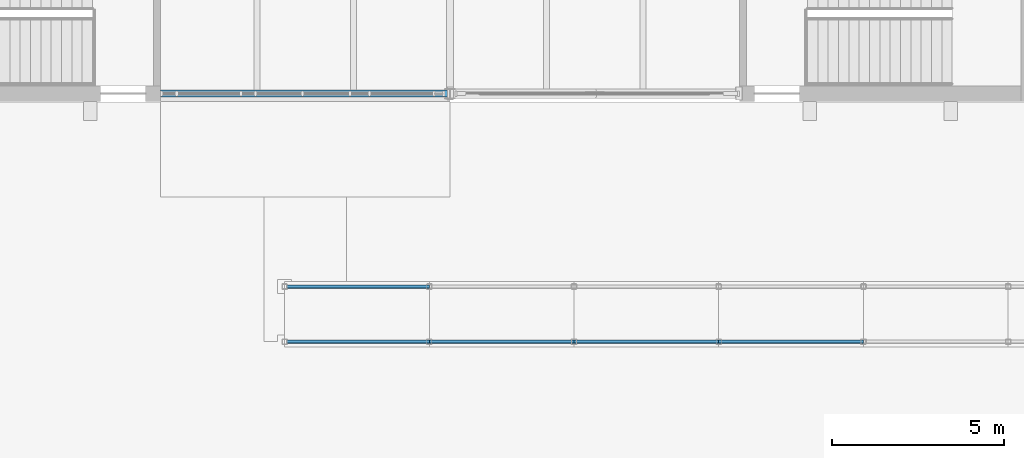
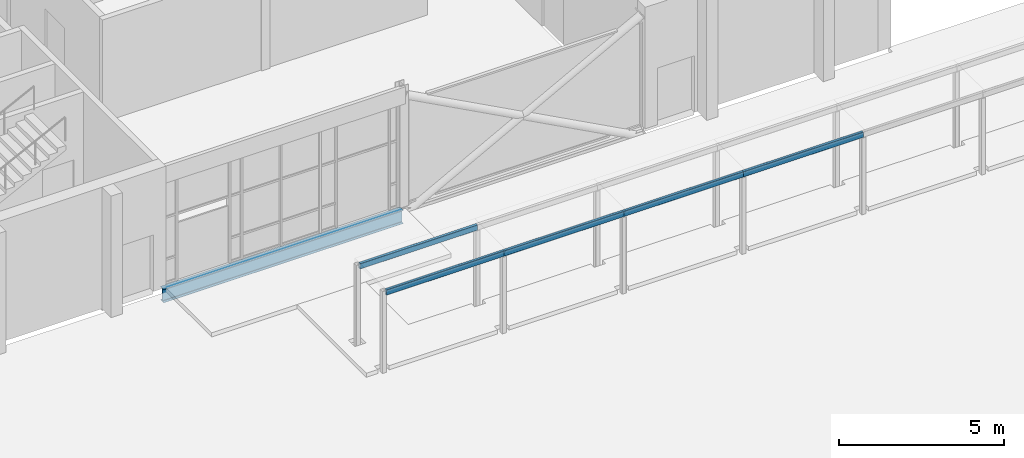
# One storey, part 21 of 116: 6 beams.
"""IFC4 building model written with IfcOpenShell, lengths in metres."""

from ifc_helpers import new_model, si_unit, direction, frame, origin, origin_2d, place, context, subcontext, project, spatial, hollow_rectangle, i_section, extrude, material, material_profile, profile_set, type_object, element, save


model = new_model("IFC4")

# Units and contexts
model_context = context("Model", 3, precision=1e-05, world=origin(), true_north=direction((0.0, 1.0)))
body_context = subcontext(model_context, "Body", "Model", "MODEL_VIEW")
ifc_project = project(units=[si_unit("LENGTHUNIT", "METRE"), si_unit("AREAUNIT", "SQUARE_METRE"), si_unit("VOLUMEUNIT", "CUBIC_METRE"), si_unit("PLANEANGLEUNIT", "RADIAN"), si_unit("MASSUNIT", "GRAM", prefix="KILO")], contexts=[model_context])

# Site, building, storey
site_placement = place(None, origin())
site = spatial("IfcSite", under=ifc_project, at=site_placement, CompositionType="ELEMENT")
building_placement = place(site_placement, origin())
building = spatial("IfcBuilding", under=site, at=building_placement, Name="Ardhachandra Cancer Care Centre", CompositionType="ELEMENT")
storey_placement = place(building_placement, origin())
storey = spatial("IfcBuildingStorey", under=building, at=storey_placement, Name="L00", CompositionType="ELEMENT", Elevation=0.0)

# Beams
ifc_material_1 = material(Name="Steel E350 (IS 2062)", Category="steel")
ifc_material_profile_1 = material_profile(ifc_material_1, i_section(OverallWidth=0.199951171875, OverallDepth=0.5, WebThickness=0.01025390625, FlangeThickness=0.01611328125, FilletRadius=0.02099609375, at=origin_2d()), Name="NPB 500x200x90.68")
ifc_profile_set_1 = profile_set([ifc_material_profile_1], Name="Steel E350 (IS 2062)")
beam_type_1 = type_object("IfcBeamType", Name="Beam NPB 500x200x90.68", PredefinedType="BEAM", material=ifc_profile_set_1)
beam_1_placement = place(storey_placement, frame((19.199951171875, 29.39990234375, -0.39990234375), z_axis=(1.0, 0.0, 0.0), x_axis=(0.0, 1.0, 0.0)))
element("IfcBeam", 1, at=beam_1_placement, inside=storey, type_object=beam_type_1, Name="Edge girder C2-C3", PredefinedType="BEAM", context=body_context, shape_type="SweptSolid", body=[
    extrude(i_section(OverallWidth=0.199951171875, OverallDepth=0.5, WebThickness=0.01025390625, FlangeThickness=0.01611328125, FilletRadius=0.02099609375, at=origin_2d()), origin(), (0.0, 0.0, 1.0), 8.400146484375),
])
ifc_material_2 = material(Name="Steel E350 (IS 2062)", Category="steel")
ifc_material_profile_2 = material_profile(ifc_material_2, hollow_rectangle(XDim=0.10009765625, YDim=0.199951171875, WallThickness=0.006103515625, InnerFilletRadius=0.006103515625, OuterFilletRadius=0.011962890625, at=origin_2d()), Name="RHS 200x100x6.0")
ifc_profile_set_2 = profile_set([ifc_material_profile_2], Name="Steel E350 (IS 2062)")
beam_type_2 = type_object("IfcBeamType", Name="Walk beam RHS 200x100x6.0", PredefinedType="BEAM", material=ifc_profile_set_2)
beam_2_placement = place(storey_placement, frame((35.39990234375, 22.199951171875, 2.780029296875), z_axis=(1.0, 0.0, 0.0), x_axis=(0.0, 1.0, 0.0)))
element("IfcBeam", 2, at=beam_2_placement, inside=storey, type_object=beam_type_2, Name="Walk beam S6", PredefinedType="BEAM", context=body_context, shape_type="SweptSolid", body=[
    extrude(hollow_rectangle(XDim=0.10009765625, YDim=0.199951171875, WallThickness=0.006103515625, InnerFilletRadius=0.006103515625, OuterFilletRadius=0.011962890625, at=origin_2d()), origin(), (0.0, 0.0, 1.0), 4.2001953125),
])
for number, where, z_axis, x_axis, name in (
    (3, (31.199951171875, 22.199951171875, 2.780029296875), (1.0, 0.0, 0.0), (0.0, 1.0, 0.0), "Walk beam S7"),
    (4, (27.0, 22.199951171875, 2.780029296875), (1.0, 0.0, 0.0), (0.0, 1.0, 0.0), "Walk beam S8"),
):
    element("IfcBeam", number, at=place(storey_placement, frame(where, z_axis=z_axis, x_axis=x_axis)), inside=storey, type_object=beam_type_2, Name=name, PredefinedType="BEAM", context=body_context, shape_type="SweptSolid", body=[
        extrude(hollow_rectangle(XDim=0.10009765625, YDim=0.199951171875, WallThickness=0.006103515625, InnerFilletRadius=0.006103515625, OuterFilletRadius=0.011962890625, at=origin_2d()), origin(), (0.0, 0.0, 1.0), 4.199951171875),
    ])
for number, where, z_axis, x_axis, name in (
    (5, (22.875, 22.199951171875, 2.780029296875), (1.0, 0.0, 0.0), (0.0, 1.0, 0.0), "Walk beam S9"),
    (6, (22.875, 23.800048828125, 2.780029296875), (1.0, 0.0, 0.0), (0.0, 1.0, 0.0), "Walk beam N9"),
):
    element("IfcBeam", number, at=place(storey_placement, frame(where, z_axis=z_axis, x_axis=x_axis)), inside=storey, type_object=beam_type_2, Name=name, PredefinedType="BEAM", context=body_context, shape_type="SweptSolid", body=[
        extrude(hollow_rectangle(XDim=0.10009765625, YDim=0.199951171875, WallThickness=0.006103515625, InnerFilletRadius=0.006103515625, OuterFilletRadius=0.011962890625, at=origin_2d()), origin(), (0.0, 0.0, 1.0), 4.125),
    ])

save(model, "model.ifc")
